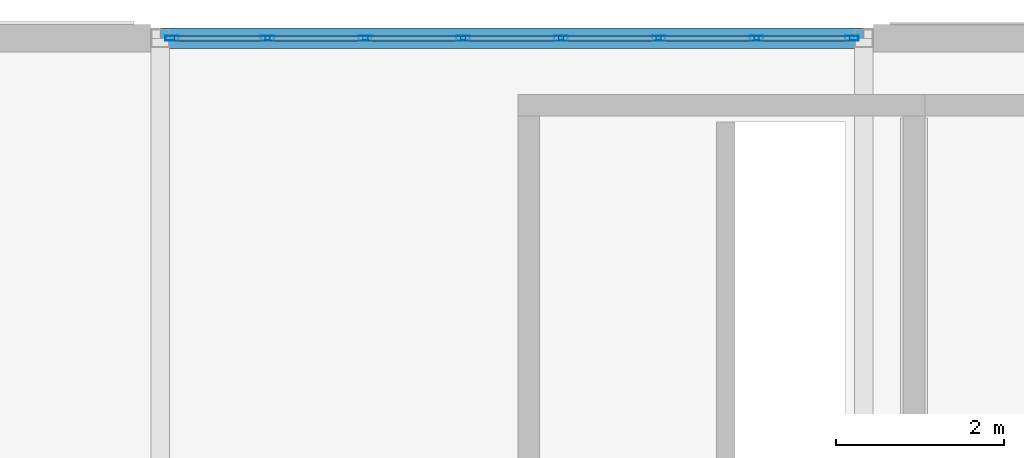
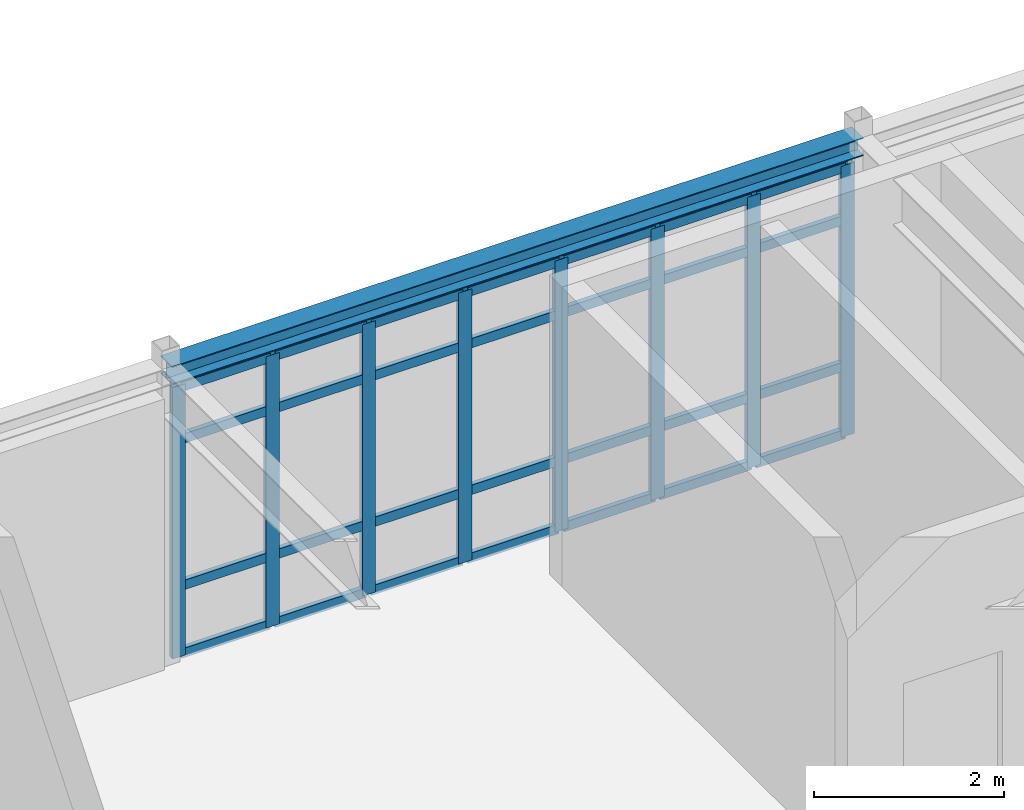
# One storey, part 48 of 114: 36 members, 1 beam, 1 element without a shape of its own.
"""IFC4 building model written with IfcOpenShell, lengths in metres."""

from ifc_helpers import new_model, si_unit, direction, frame, origin, origin_2d, place, context, subcontext, project, spatial, hollow_rectangle, i_section, extrude, material, layer, layer_set, material_profile, profile_set, type_object, element, aggregate, save


model = new_model("IFC4")

# Units and contexts
model_context = context("Model", 3, precision=1e-05, world=origin(), true_north=direction((0.0, 1.0)))
body_context = subcontext(model_context, "Body", "Model", "MODEL_VIEW")
ifc_project = project(units=[si_unit("LENGTHUNIT", "METRE"), si_unit("AREAUNIT", "SQUARE_METRE"), si_unit("VOLUMEUNIT", "CUBIC_METRE"), si_unit("PLANEANGLEUNIT", "RADIAN"), si_unit("MASSUNIT", "GRAM", prefix="KILO")], contexts=[model_context])

# Site, building, storey
site_placement = place(None, origin())
site = spatial("IfcSite", under=ifc_project, at=site_placement, CompositionType="ELEMENT")
building_placement = place(site_placement, origin())
building = spatial("IfcBuilding", under=site, at=building_placement, Name="Montecoro Central Library", CompositionType="ELEMENT")
storey_placement = place(building_placement, frame((0.0, 0.0, 13.260009765625)))
storey = spatial("IfcBuildingStorey", under=building, at=storey_placement, Name="L03", CompositionType="ELEMENT", Elevation=13.260009765625)

# Beam
ifc_material_1 = material(Name="Steel S355", Category="steel")
ifc_material_profile_1 = material_profile(ifc_material_1, i_section(OverallWidth=0.239990234375, OverallDepth=0.22998046875, WebThickness=0.007568359375, FlangeThickness=0.011962890625, at=origin_2d()), Name="HEA 240")
ifc_profile_set_1 = profile_set([ifc_material_profile_1], Name="Steel S355")
beam_type = type_object("IfcBeamType", Name="BM-SP-HEA240", PredefinedType="SPANDREL", material=ifc_profile_set_1)
beam_placement = place(storey_placement, frame((91.60498046875, 119.0, 3.7099609375), z_axis=(1.0, 0.0, 0.0), x_axis=(0.0, 1.0, 0.0)))
element("IfcBeam", 1, at=beam_placement, inside=storey, type_object=beam_type, Name="V2-L03-BX-1213-R", PredefinedType="SPANDREL", context=body_context, shape_type="SweptSolid", body=[
    extrude(i_section(OverallWidth=0.239990234375, OverallDepth=0.22998046875, WebThickness=0.007568359375, FlangeThickness=0.011962890625, at=origin_2d()), origin(), (0.0, 0.0, 1.0), 8.39013671875),
])

# Curtain wall, members
ifc_material_2 = material(Name="Bronze-anodised aluminium and low-E glazing", Category="aluminium")
ifc_layer = layer(ifc_material_2, 0.159912109375)
ifc_layer_set = layer_set([ifc_layer], Name="Bronze-anodised aluminium and low-E glazing")
curtain_wall_type = type_object("IfcCurtainWallType", Name="CWT-019", PredefinedType="NOTDEFINED", material=ifc_layer_set)
curtain_wall_placement = place(storey_placement, origin())
curtain_wall = element("IfcCurtainWall", 2, at=curtain_wall_placement, inside=storey, type_object=curtain_wall_type, Name="V2-L03-CW-N3", PredefinedType="NOTDEFINED")
ifc_material_3 = material(Name="Bronze-anodised aluminium", Category="aluminium")
ifc_material_profile_2 = material_profile(ifc_material_3, hollow_rectangle(XDim=0.06005859375, YDim=0.159912109375, WallThickness=0.00390625, at=origin_2d()), Name="CWM 160x60x4.0")
ifc_profile_set_2 = profile_set([ifc_material_profile_2], Name="Bronze-anodised aluminium")
member_type_1 = type_object("IfcMemberType", Name="CWM-BRZ-60", PredefinedType="MULLION", material=ifc_profile_set_2)
member_1_placement = place(storey_placement, frame((99.85693359375, 119.0, 0.0), z_axis=(0.0, 0.0, 1.0), x_axis=(0.0, -1.0, 0.0)))
member_1 = element("IfcMember", 3, at=member_1_placement, type_object=member_type_1, Name="CW-019 mullion 1", PredefinedType="MULLION", context=body_context, shape_type="SweptSolid", body=[
    extrude(hollow_rectangle(XDim=0.06005859375, YDim=0.159912109375, WallThickness=0.00390625, at=origin_2d()), origin(), (0.0, 0.0, 1.0), 3.47998046875),
])
member_2_placement = place(storey_placement, frame((98.71923828125, 119.0, 0.0), z_axis=(0.0, 0.0, 1.0), x_axis=(0.0, -1.0, 0.0)))
member_2 = element("IfcMember", 4, at=member_2_placement, type_object=member_type_1, Name="CW-019 mullion 2", PredefinedType="MULLION", context=body_context, shape_type="SweptSolid", body=[
    extrude(hollow_rectangle(XDim=0.06005859375, YDim=0.159912109375, WallThickness=0.00390625, at=origin_2d()), origin(), (0.0, 0.0, 1.0), 3.47998046875),
])
member_3_placement = place(storey_placement, frame((97.551513671875, 119.0, 0.0), z_axis=(0.0, 0.0, 1.0), x_axis=(0.0, -1.0, 0.0)))
member_3 = element("IfcMember", 5, at=member_3_placement, type_object=member_type_1, Name="CW-019 mullion 3", PredefinedType="MULLION", context=body_context, shape_type="SweptSolid", body=[
    extrude(hollow_rectangle(XDim=0.06005859375, YDim=0.159912109375, WallThickness=0.00390625, at=origin_2d()), origin(), (0.0, 0.0, 1.0), 3.47998046875),
])
member_4_placement = place(storey_placement, frame((96.3837890625, 119.0, 0.0), z_axis=(0.0, 0.0, 1.0), x_axis=(0.0, -1.0, 0.0)))
member_4 = element("IfcMember", 6, at=member_4_placement, type_object=member_type_1, Name="CW-019 mullion 4", PredefinedType="MULLION", context=body_context, shape_type="SweptSolid", body=[
    extrude(hollow_rectangle(XDim=0.06005859375, YDim=0.159912109375, WallThickness=0.00390625, at=origin_2d()), origin(), (0.0, 0.0, 1.0), 3.47998046875),
])
member_5_placement = place(storey_placement, frame((95.216064453125, 119.0, 0.0), z_axis=(0.0, 0.0, 1.0), x_axis=(0.0, -1.0, 0.0)))
member_5 = element("IfcMember", 7, at=member_5_placement, type_object=member_type_1, Name="CW-019 mullion 5", PredefinedType="MULLION", context=body_context, shape_type="SweptSolid", body=[
    extrude(hollow_rectangle(XDim=0.06005859375, YDim=0.159912109375, WallThickness=0.00390625, at=origin_2d()), origin(), (0.0, 0.0, 1.0), 3.47998046875),
])
member_6_placement = place(storey_placement, frame((94.04833984375, 119.0, 0.0), z_axis=(0.0, 0.0, 1.0), x_axis=(0.0, -1.0, 0.0)))
member_6 = element("IfcMember", 8, at=member_6_placement, type_object=member_type_1, Name="CW-019 mullion 6", PredefinedType="MULLION", context=body_context, shape_type="SweptSolid", body=[
    extrude(hollow_rectangle(XDim=0.06005859375, YDim=0.159912109375, WallThickness=0.00390625, at=origin_2d()), origin(), (0.0, 0.0, 1.0), 3.47998046875),
])
member_7_placement = place(storey_placement, frame((92.880615234375, 119.0, 0.0), z_axis=(0.0, 0.0, 1.0), x_axis=(0.0, -1.0, 0.0)))
member_7 = element("IfcMember", 9, at=member_7_placement, type_object=member_type_1, Name="CW-019 mullion 7", PredefinedType="MULLION", context=body_context, shape_type="SweptSolid", body=[
    extrude(hollow_rectangle(XDim=0.06005859375, YDim=0.159912109375, WallThickness=0.00390625, at=origin_2d()), origin(), (0.0, 0.0, 1.0), 3.47998046875),
])
member_8_placement = place(storey_placement, frame((91.742919921875, 119.0, 0.0), z_axis=(0.0, 0.0, 1.0), x_axis=(0.0, -1.0, 0.0)))
member_8 = element("IfcMember", 10, at=member_8_placement, type_object=member_type_1, Name="CW-019 mullion 8", PredefinedType="MULLION", context=body_context, shape_type="SweptSolid", body=[
    extrude(hollow_rectangle(XDim=0.06005859375, YDim=0.159912109375, WallThickness=0.00390625, at=origin_2d()), origin(), (0.0, 0.0, 1.0), 3.47998046875),
])
ifc_material_profile_3 = material_profile(ifc_material_3, hollow_rectangle(XDim=0.06005859375, YDim=0.1201171875, WallThickness=0.00390625, at=origin_2d()), Name="CWT 120x60x4.0")
ifc_profile_set_3 = profile_set([ifc_material_profile_3], Name="Bronze-anodised aluminium")
member_type_2 = type_object("IfcMemberType", Name="CWT-BRZ-60", PredefinedType="USERDEFINED", material=ifc_profile_set_3)
member_9_placement = place(storey_placement, frame((99.826904296875, 119.0, 0.030029296875), z_axis=(-1.0, 0.0, 0.0), x_axis=(0.0, -1.0, 0.0)))
member_9 = element("IfcMember", 11, at=member_9_placement, type_object=member_type_2, Name="CW-019 transom 1.1", ObjectType="TRANSOM", PredefinedType="USERDEFINED", context=body_context, shape_type="SweptSolid", body=[
    extrude(hollow_rectangle(XDim=0.06005859375, YDim=0.1201171875, WallThickness=0.00390625, at=origin_2d()), origin(), (0.0, 0.0, 1.0), 1.07763671875),
])
member_10_placement = place(storey_placement, frame((99.826904296875, 119.0, 0.89990234375), z_axis=(-1.0, 0.0, 0.0), x_axis=(0.0, -1.0, 0.0)))
member_10 = element("IfcMember", 12, at=member_10_placement, type_object=member_type_2, Name="CW-019 transom 1.2", ObjectType="TRANSOM", PredefinedType="USERDEFINED", context=body_context, shape_type="SweptSolid", body=[
    extrude(hollow_rectangle(XDim=0.06005859375, YDim=0.1201171875, WallThickness=0.00390625, at=origin_2d()), origin(), (0.0, 0.0, 1.0), 1.07763671875),
])
member_11_placement = place(storey_placement, frame((99.826904296875, 119.0, 2.780029296875), z_axis=(-1.0, 0.0, 0.0), x_axis=(0.0, -1.0, 0.0)))
member_11 = element("IfcMember", 13, at=member_11_placement, type_object=member_type_2, Name="CW-019 transom 1.3", ObjectType="TRANSOM", PredefinedType="USERDEFINED", context=body_context, shape_type="SweptSolid", body=[
    extrude(hollow_rectangle(XDim=0.06005859375, YDim=0.1201171875, WallThickness=0.00390625, at=origin_2d()), origin(), (0.0, 0.0, 1.0), 1.07763671875),
])
member_12_placement = place(storey_placement, frame((99.826904296875, 119.0, 3.449951171875), z_axis=(-1.0, 0.0, 0.0), x_axis=(0.0, -1.0, 0.0)))
member_12 = element("IfcMember", 14, at=member_12_placement, type_object=member_type_2, Name="CW-019 transom 1.4", ObjectType="TRANSOM", PredefinedType="USERDEFINED", context=body_context, shape_type="SweptSolid", body=[
    extrude(hollow_rectangle(XDim=0.06005859375, YDim=0.1201171875, WallThickness=0.00390625, at=origin_2d()), origin(), (0.0, 0.0, 1.0), 1.07763671875),
])
member_13_placement = place(storey_placement, frame((98.689208984375, 119.0, 0.030029296875), z_axis=(-1.0, 0.0, 0.0), x_axis=(0.0, -1.0, 0.0)))
member_13 = element("IfcMember", 15, at=member_13_placement, type_object=member_type_2, Name="CW-019 transom 2.1", ObjectType="TRANSOM", PredefinedType="USERDEFINED", context=body_context, shape_type="SweptSolid", body=[
    extrude(hollow_rectangle(XDim=0.06005859375, YDim=0.1201171875, WallThickness=0.00390625, at=origin_2d()), origin(), (0.0, 0.0, 1.0), 1.107666015625),
])
member_14_placement = place(storey_placement, frame((98.689208984375, 119.0, 0.89990234375), z_axis=(-1.0, 0.0, 0.0), x_axis=(0.0, -1.0, 0.0)))
member_14 = element("IfcMember", 16, at=member_14_placement, type_object=member_type_2, Name="CW-019 transom 2.2", ObjectType="TRANSOM", PredefinedType="USERDEFINED", context=body_context, shape_type="SweptSolid", body=[
    extrude(hollow_rectangle(XDim=0.06005859375, YDim=0.1201171875, WallThickness=0.00390625, at=origin_2d()), origin(), (0.0, 0.0, 1.0), 1.107666015625),
])
member_15_placement = place(storey_placement, frame((98.689208984375, 119.0, 2.780029296875), z_axis=(-1.0, 0.0, 0.0), x_axis=(0.0, -1.0, 0.0)))
member_15 = element("IfcMember", 17, at=member_15_placement, type_object=member_type_2, Name="CW-019 transom 2.3", ObjectType="TRANSOM", PredefinedType="USERDEFINED", context=body_context, shape_type="SweptSolid", body=[
    extrude(hollow_rectangle(XDim=0.06005859375, YDim=0.1201171875, WallThickness=0.00390625, at=origin_2d()), origin(), (0.0, 0.0, 1.0), 1.107666015625),
])
member_16_placement = place(storey_placement, frame((98.689208984375, 119.0, 3.449951171875), z_axis=(-1.0, 0.0, 0.0), x_axis=(0.0, -1.0, 0.0)))
member_16 = element("IfcMember", 18, at=member_16_placement, type_object=member_type_2, Name="CW-019 transom 2.4", ObjectType="TRANSOM", PredefinedType="USERDEFINED", context=body_context, shape_type="SweptSolid", body=[
    extrude(hollow_rectangle(XDim=0.06005859375, YDim=0.1201171875, WallThickness=0.00390625, at=origin_2d()), origin(), (0.0, 0.0, 1.0), 1.107666015625),
])
member_17_placement = place(storey_placement, frame((97.521484375, 119.0, 0.030029296875), z_axis=(-1.0, 0.0, 0.0), x_axis=(0.0, -1.0, 0.0)))
member_17 = element("IfcMember", 19, at=member_17_placement, type_object=member_type_2, Name="CW-019 transom 3.1", ObjectType="TRANSOM", PredefinedType="USERDEFINED", context=body_context, shape_type="SweptSolid", body=[
    extrude(hollow_rectangle(XDim=0.06005859375, YDim=0.1201171875, WallThickness=0.00390625, at=origin_2d()), origin(), (0.0, 0.0, 1.0), 1.107666015625),
])
member_18_placement = place(storey_placement, frame((97.521484375, 119.0, 0.89990234375), z_axis=(-1.0, 0.0, 0.0), x_axis=(0.0, -1.0, 0.0)))
member_18 = element("IfcMember", 20, at=member_18_placement, type_object=member_type_2, Name="CW-019 transom 3.2", ObjectType="TRANSOM", PredefinedType="USERDEFINED", context=body_context, shape_type="SweptSolid", body=[
    extrude(hollow_rectangle(XDim=0.06005859375, YDim=0.1201171875, WallThickness=0.00390625, at=origin_2d()), origin(), (0.0, 0.0, 1.0), 1.107666015625),
])
member_19_placement = place(storey_placement, frame((97.521484375, 119.0, 2.780029296875), z_axis=(-1.0, 0.0, 0.0), x_axis=(0.0, -1.0, 0.0)))
member_19 = element("IfcMember", 21, at=member_19_placement, type_object=member_type_2, Name="CW-019 transom 3.3", ObjectType="TRANSOM", PredefinedType="USERDEFINED", context=body_context, shape_type="SweptSolid", body=[
    extrude(hollow_rectangle(XDim=0.06005859375, YDim=0.1201171875, WallThickness=0.00390625, at=origin_2d()), origin(), (0.0, 0.0, 1.0), 1.107666015625),
])
member_20_placement = place(storey_placement, frame((97.521484375, 119.0, 3.449951171875), z_axis=(-1.0, 0.0, 0.0), x_axis=(0.0, -1.0, 0.0)))
member_20 = element("IfcMember", 22, at=member_20_placement, type_object=member_type_2, Name="CW-019 transom 3.4", ObjectType="TRANSOM", PredefinedType="USERDEFINED", context=body_context, shape_type="SweptSolid", body=[
    extrude(hollow_rectangle(XDim=0.06005859375, YDim=0.1201171875, WallThickness=0.00390625, at=origin_2d()), origin(), (0.0, 0.0, 1.0), 1.107666015625),
])
member_21_placement = place(storey_placement, frame((96.353759765625, 119.0, 0.030029296875), z_axis=(-1.0, 0.0, 0.0), x_axis=(0.0, -1.0, 0.0)))
member_21 = element("IfcMember", 23, at=member_21_placement, type_object=member_type_2, Name="CW-019 transom 4.1", ObjectType="TRANSOM", PredefinedType="USERDEFINED", context=body_context, shape_type="SweptSolid", body=[
    extrude(hollow_rectangle(XDim=0.06005859375, YDim=0.1201171875, WallThickness=0.00390625, at=origin_2d()), origin(), (0.0, 0.0, 1.0), 1.107666015625),
])
member_22_placement = place(storey_placement, frame((96.353759765625, 119.0, 0.89990234375), z_axis=(-1.0, 0.0, 0.0), x_axis=(0.0, -1.0, 0.0)))
member_22 = element("IfcMember", 24, at=member_22_placement, type_object=member_type_2, Name="CW-019 transom 4.2", ObjectType="TRANSOM", PredefinedType="USERDEFINED", context=body_context, shape_type="SweptSolid", body=[
    extrude(hollow_rectangle(XDim=0.06005859375, YDim=0.1201171875, WallThickness=0.00390625, at=origin_2d()), origin(), (0.0, 0.0, 1.0), 1.107666015625),
])
member_23_placement = place(storey_placement, frame((96.353759765625, 119.0, 2.780029296875), z_axis=(-1.0, 0.0, 0.0), x_axis=(0.0, -1.0, 0.0)))
member_23 = element("IfcMember", 25, at=member_23_placement, type_object=member_type_2, Name="CW-019 transom 4.3", ObjectType="TRANSOM", PredefinedType="USERDEFINED", context=body_context, shape_type="SweptSolid", body=[
    extrude(hollow_rectangle(XDim=0.06005859375, YDim=0.1201171875, WallThickness=0.00390625, at=origin_2d()), origin(), (0.0, 0.0, 1.0), 1.107666015625),
])
member_24_placement = place(storey_placement, frame((96.353759765625, 119.0, 3.449951171875), z_axis=(-1.0, 0.0, 0.0), x_axis=(0.0, -1.0, 0.0)))
member_24 = element("IfcMember", 26, at=member_24_placement, type_object=member_type_2, Name="CW-019 transom 4.4", ObjectType="TRANSOM", PredefinedType="USERDEFINED", context=body_context, shape_type="SweptSolid", body=[
    extrude(hollow_rectangle(XDim=0.06005859375, YDim=0.1201171875, WallThickness=0.00390625, at=origin_2d()), origin(), (0.0, 0.0, 1.0), 1.107666015625),
])
member_25_placement = place(storey_placement, frame((95.18603515625, 119.0, 0.030029296875), z_axis=(-1.0, 0.0, 0.0), x_axis=(0.0, -1.0, 0.0)))
member_25 = element("IfcMember", 27, at=member_25_placement, type_object=member_type_2, Name="CW-019 transom 5.1", ObjectType="TRANSOM", PredefinedType="USERDEFINED", context=body_context, shape_type="SweptSolid", body=[
    extrude(hollow_rectangle(XDim=0.06005859375, YDim=0.1201171875, WallThickness=0.00390625, at=origin_2d()), origin(), (0.0, 0.0, 1.0), 1.107666015625),
])
member_26_placement = place(storey_placement, frame((95.18603515625, 119.0, 0.89990234375), z_axis=(-1.0, 0.0, 0.0), x_axis=(0.0, -1.0, 0.0)))
member_26 = element("IfcMember", 28, at=member_26_placement, type_object=member_type_2, Name="CW-019 transom 5.2", ObjectType="TRANSOM", PredefinedType="USERDEFINED", context=body_context, shape_type="SweptSolid", body=[
    extrude(hollow_rectangle(XDim=0.06005859375, YDim=0.1201171875, WallThickness=0.00390625, at=origin_2d()), origin(), (0.0, 0.0, 1.0), 1.107666015625),
])
member_27_placement = place(storey_placement, frame((95.18603515625, 119.0, 2.780029296875), z_axis=(-1.0, 0.0, 0.0), x_axis=(0.0, -1.0, 0.0)))
member_27 = element("IfcMember", 29, at=member_27_placement, type_object=member_type_2, Name="CW-019 transom 5.3", ObjectType="TRANSOM", PredefinedType="USERDEFINED", context=body_context, shape_type="SweptSolid", body=[
    extrude(hollow_rectangle(XDim=0.06005859375, YDim=0.1201171875, WallThickness=0.00390625, at=origin_2d()), origin(), (0.0, 0.0, 1.0), 1.107666015625),
])
member_28_placement = place(storey_placement, frame((95.18603515625, 119.0, 3.449951171875), z_axis=(-1.0, 0.0, 0.0), x_axis=(0.0, -1.0, 0.0)))
member_28 = element("IfcMember", 30, at=member_28_placement, type_object=member_type_2, Name="CW-019 transom 5.4", ObjectType="TRANSOM", PredefinedType="USERDEFINED", context=body_context, shape_type="SweptSolid", body=[
    extrude(hollow_rectangle(XDim=0.06005859375, YDim=0.1201171875, WallThickness=0.00390625, at=origin_2d()), origin(), (0.0, 0.0, 1.0), 1.107666015625),
])
member_29_placement = place(storey_placement, frame((94.018310546875, 119.0, 0.030029296875), z_axis=(-1.0, 0.0, 0.0), x_axis=(0.0, -1.0, 0.0)))
member_29 = element("IfcMember", 31, at=member_29_placement, type_object=member_type_2, Name="CW-019 transom 6.1", ObjectType="TRANSOM", PredefinedType="USERDEFINED", context=body_context, shape_type="SweptSolid", body=[
    extrude(hollow_rectangle(XDim=0.06005859375, YDim=0.1201171875, WallThickness=0.00390625, at=origin_2d()), origin(), (0.0, 0.0, 1.0), 1.107666015625),
])
member_30_placement = place(storey_placement, frame((94.018310546875, 119.0, 0.89990234375), z_axis=(-1.0, 0.0, 0.0), x_axis=(0.0, -1.0, 0.0)))
member_30 = element("IfcMember", 32, at=member_30_placement, type_object=member_type_2, Name="CW-019 transom 6.2", ObjectType="TRANSOM", PredefinedType="USERDEFINED", context=body_context, shape_type="SweptSolid", body=[
    extrude(hollow_rectangle(XDim=0.06005859375, YDim=0.1201171875, WallThickness=0.00390625, at=origin_2d()), origin(), (0.0, 0.0, 1.0), 1.107666015625),
])
member_31_placement = place(storey_placement, frame((94.018310546875, 119.0, 2.780029296875), z_axis=(-1.0, 0.0, 0.0), x_axis=(0.0, -1.0, 0.0)))
member_31 = element("IfcMember", 33, at=member_31_placement, type_object=member_type_2, Name="CW-019 transom 6.3", ObjectType="TRANSOM", PredefinedType="USERDEFINED", context=body_context, shape_type="SweptSolid", body=[
    extrude(hollow_rectangle(XDim=0.06005859375, YDim=0.1201171875, WallThickness=0.00390625, at=origin_2d()), origin(), (0.0, 0.0, 1.0), 1.107666015625),
])
member_32_placement = place(storey_placement, frame((94.018310546875, 119.0, 3.449951171875), z_axis=(-1.0, 0.0, 0.0), x_axis=(0.0, -1.0, 0.0)))
member_32 = element("IfcMember", 34, at=member_32_placement, type_object=member_type_2, Name="CW-019 transom 6.4", ObjectType="TRANSOM", PredefinedType="USERDEFINED", context=body_context, shape_type="SweptSolid", body=[
    extrude(hollow_rectangle(XDim=0.06005859375, YDim=0.1201171875, WallThickness=0.00390625, at=origin_2d()), origin(), (0.0, 0.0, 1.0), 1.107666015625),
])
member_33_placement = place(storey_placement, frame((92.850830078125, 119.0, 0.030029296875), z_axis=(-1.0, 0.0, 0.0), x_axis=(0.0, -1.0, 0.0)))
member_33 = element("IfcMember", 35, at=member_33_placement, type_object=member_type_2, Name="CW-019 transom 7.1", ObjectType="TRANSOM", PredefinedType="USERDEFINED", context=body_context, shape_type="SweptSolid", body=[
    extrude(hollow_rectangle(XDim=0.06005859375, YDim=0.1201171875, WallThickness=0.00390625, at=origin_2d()), origin(), (0.0, 0.0, 1.0), 1.077880859375),
])
member_34_placement = place(storey_placement, frame((92.850830078125, 119.0, 0.89990234375), z_axis=(-1.0, 0.0, 0.0), x_axis=(0.0, -1.0, 0.0)))
member_34 = element("IfcMember", 36, at=member_34_placement, type_object=member_type_2, Name="CW-019 transom 7.2", ObjectType="TRANSOM", PredefinedType="USERDEFINED", context=body_context, shape_type="SweptSolid", body=[
    extrude(hollow_rectangle(XDim=0.06005859375, YDim=0.1201171875, WallThickness=0.00390625, at=origin_2d()), origin(), (0.0, 0.0, 1.0), 1.077880859375),
])
member_35_placement = place(storey_placement, frame((92.850830078125, 119.0, 2.780029296875), z_axis=(-1.0, 0.0, 0.0), x_axis=(0.0, -1.0, 0.0)))
member_35 = element("IfcMember", 37, at=member_35_placement, type_object=member_type_2, Name="CW-019 transom 7.3", ObjectType="TRANSOM", PredefinedType="USERDEFINED", context=body_context, shape_type="SweptSolid", body=[
    extrude(hollow_rectangle(XDim=0.06005859375, YDim=0.1201171875, WallThickness=0.00390625, at=origin_2d()), origin(), (0.0, 0.0, 1.0), 1.077880859375),
])
member_36_placement = place(storey_placement, frame((92.850830078125, 119.0, 3.449951171875), z_axis=(-1.0, 0.0, 0.0), x_axis=(0.0, -1.0, 0.0)))
member_36 = element("IfcMember", 38, at=member_36_placement, type_object=member_type_2, Name="CW-019 transom 7.4", ObjectType="TRANSOM", PredefinedType="USERDEFINED", context=body_context, shape_type="SweptSolid", body=[
    extrude(hollow_rectangle(XDim=0.06005859375, YDim=0.1201171875, WallThickness=0.00390625, at=origin_2d()), origin(), (0.0, 0.0, 1.0), 1.077880859375),
])
aggregate(curtain_wall, [member_1, member_2, member_3, member_4, member_5, member_6, member_7, member_8, member_9, member_10, member_11, member_12, member_13, member_14, member_15, member_16, member_17, member_18, member_19, member_20, member_21, member_22, member_23, member_24, member_25, member_26, member_27, member_28, member_29, member_30, member_31, member_32, member_33, member_34, member_35, member_36])

save(model, "model.ifc")
